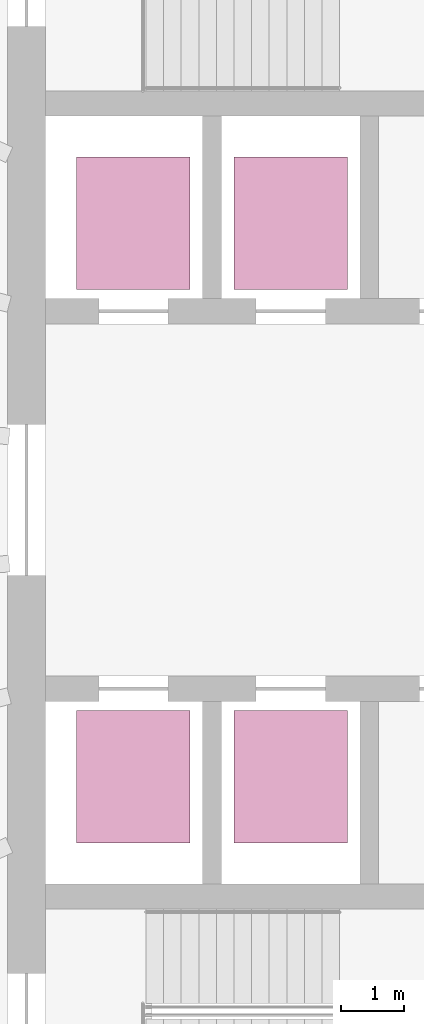
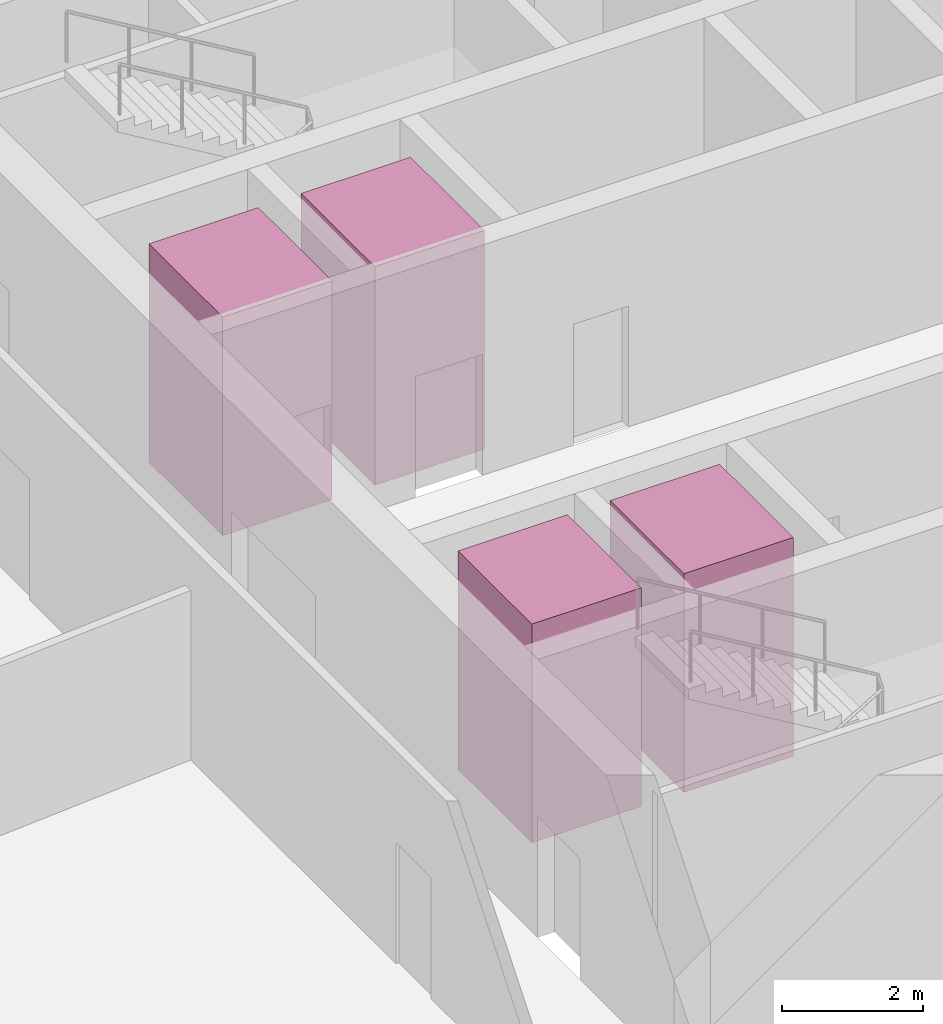
# One storey, part 10 of 10: 4 transport elements.
"""IFC4 building model written with IfcOpenShell, lengths in metres."""

from ifc_helpers import new_model, si_unit, direction, frame, origin, origin_2d, place, context, subcontext, project, spatial, rectangle, extrude, material, type_object, element, save


model = new_model("IFC4")

# Units and contexts
model_context = context("Model", 3, precision=1e-05, world=origin(), true_north=direction((0.0, 1.0)))
body_context = subcontext(model_context, "Body", "Model", "MODEL_VIEW")
ifc_project = project(units=[si_unit("LENGTHUNIT", "METRE"), si_unit("AREAUNIT", "SQUARE_METRE"), si_unit("VOLUMEUNIT", "CUBIC_METRE"), si_unit("PLANEANGLEUNIT", "RADIAN"), si_unit("MASSUNIT", "GRAM", prefix="KILO")], contexts=[model_context])

# Site, building, storey
site_placement = place(None, origin())
site = spatial("IfcSite", under=ifc_project, at=site_placement, CompositionType="ELEMENT")
building_placement = place(site_placement, origin())
building = spatial("IfcBuilding", under=site, at=building_placement, Name="Halqa Exchange Tower", CompositionType="ELEMENT")
storey_placement = place(building_placement, frame((0.0, 0.0, 296.300048828125)))
storey = spatial("IfcBuildingStorey", under=building, at=storey_placement, Name="L69", CompositionType="ELEMENT", Elevation=296.300048828125)

# Transport elements
ifc_material = material(Name="Stainless steel", Category="steel")
transport_element_type = type_object("IfcTransportElementType", Name="High-rise passenger lift 1800 x 2100", PredefinedType="ELEVATOR", material=ifc_material)
for number, where, z_axis, x_axis, name in (
    (1, (-10.0, 4.39990234375, 0.0), (0.0, 0.0, 1.0), (1.0, 0.0, 0.0), "High-rise passenger lift HR1"),
    (2, (-7.5, 4.39990234375, 0.0), (0.0, 0.0, 1.0), (1.0, 0.0, 0.0), "High-rise passenger lift HR2"),
    (3, (-10.0, -4.39990234375, 0.0), (0.0, 0.0, 1.0), (1.0, 0.0, 0.0), "High-rise passenger lift HR3"),
    (4, (-7.5, -4.39990234375, 0.0), (0.0, 0.0, 1.0), (1.0, 0.0, 0.0), "High-rise passenger lift HR4"),
):
    element("IfcTransportElement", number, at=place(storey_placement, frame(where, z_axis=z_axis, x_axis=x_axis)), inside=storey, type_object=transport_element_type, Name=name, PredefinedType="ELEVATOR", context=body_context, shape_type="SweptSolid", body=[
        extrude(rectangle(XDim=1.800048828125, YDim=2.10009765625, at=origin_2d()), origin(), (0.0, 0.0, 1.0), 3.800048828125),
    ])

save(model, "model.ifc")
